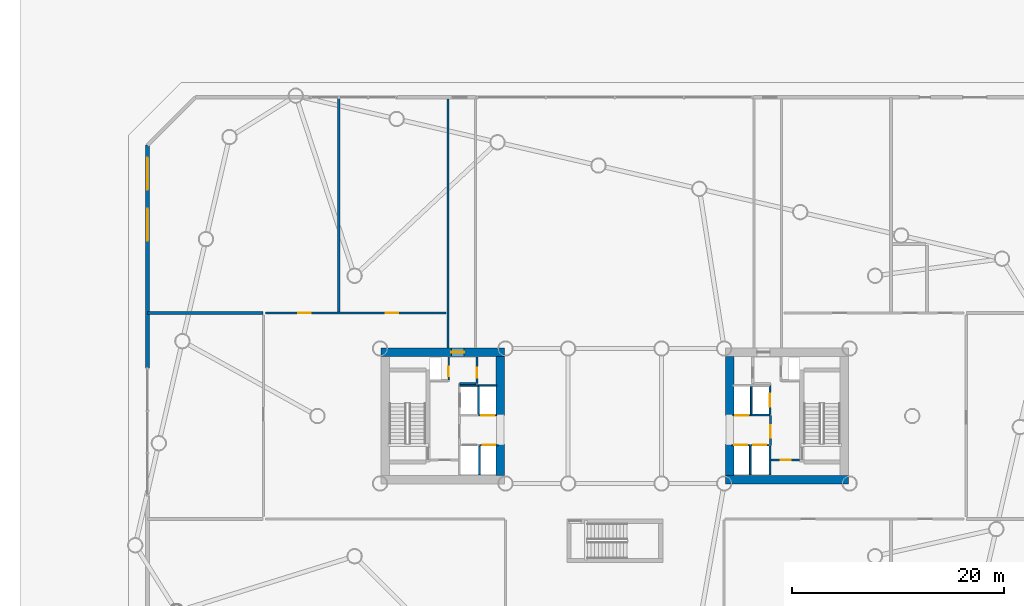
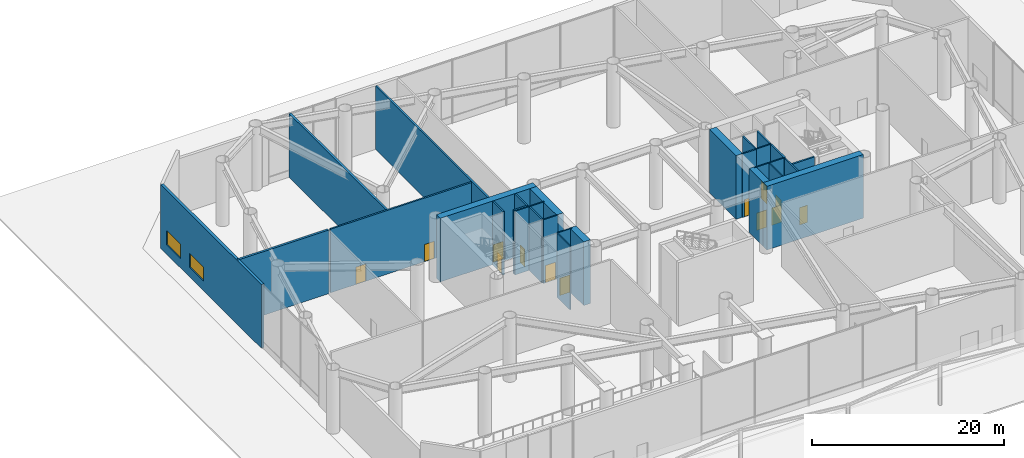
# One storey, part 21 of 28: 30 walls, 13 doors, 2 windows, 15 openings.
"""IFC4 building model written with IfcOpenShell, lengths in metres."""

from ifc_helpers import new_model, si_unit, direction, frame, frame_2d, origin, place, context, subcontext, project, spatial, rectangle, extrude, material, layer, layer_set, type_object, element, fill, save


model = new_model("IFC4")

# Units and contexts
model_context = context("Model", 3, precision=1e-05, world=origin(), true_north=direction((0.0, 1.0)))
body_context = subcontext(model_context, "Body", "Model", "MODEL_VIEW")
ifc_project = project(units=[si_unit("LENGTHUNIT", "METRE"), si_unit("AREAUNIT", "SQUARE_METRE"), si_unit("VOLUMEUNIT", "CUBIC_METRE"), si_unit("PLANEANGLEUNIT", "RADIAN"), si_unit("MASSUNIT", "GRAM", prefix="KILO")], contexts=[model_context])

# Site, building, storey
site_placement = place(None, origin())
site = spatial("IfcSite", under=ifc_project, at=site_placement, CompositionType="ELEMENT")
building_placement = place(site_placement, origin())
building = spatial("IfcBuilding", under=site, at=building_placement, Name="Tavrogorsk Clinical Tower", CompositionType="ELEMENT")
storey_placement = place(building_placement, origin())
storey = spatial("IfcBuildingStorey", under=building, at=storey_placement, Name="L00", CompositionType="ELEMENT", Elevation=0.0)

# Wall, opening, door
ifc_material_1 = material(Name="Concrete B60", Category="concrete")
ifc_layer_1 = layer(ifc_material_1, 0.199951171875)
ifc_layer_set_1 = layer_set([ifc_layer_1], Name="Concrete B60")
wall_type_1 = type_object("IfcWallType", Name="CoreFireWall_200", PredefinedType="SOLIDWALL", material=ifc_layer_set_1)
wall_1_placement = place(storey_placement, frame((-12.97998046875, 3.06494140625, 0.0), z_axis=(0.0, 0.0, 1.0), x_axis=(0.0, 1.0, 0.0)))
wall_1 = element("IfcWall", 1, at=wall_1_placement, inside=storey, type_object=wall_type_1, Name="L00 Core West North Core Room East Wall", PredefinedType="SOLIDWALL", context=body_context, shape_type="SweptSolid", body=[
    extrude(rectangle(XDim=2.4951171875, YDim=0.199951171875, at=frame_2d((1.24755859375, 0.0))), origin(), (0.0, 0.0, 1.0), 8.10009765625),
])
opening_1_placement = place(wall_1_placement, frame((0.52001953125, 0.0, 0.0)))
opening_1 = element("IfcOpeningElement", 2, at=opening_1_placement, cuts=wall_1, Name="Opening ID-02", PredefinedType="OPENING", context=body_context, shape_type="SweptSolid", body=[
    extrude(rectangle(XDim=0.949951171875, YDim=2.199951171875, at=frame_2d((0.47509765625, 1.10009765625))), frame((0.0, 0.10986328125, 0.0), z_axis=(0.0, -1.0, 0.0), x_axis=(1.0, 0.0, 0.0)), (0.0, 0.0, 1.0), 0.219970703125),
])
ifc_material_2 = material(Name="Laminated timber leaf on aluminium frame", Category="wood")
door_type_1 = type_object("IfcDoorType", Name="InteriorDoor_ID02_950", OperationType="NOTDEFINED", PredefinedType="DOOR", material=ifc_material_2)
door_1_placement = place(opening_1_placement, origin())
door_1 = element("IfcDoor", 3, at=door_1_placement, inside=storey, type_object=door_type_1, Name="L00 Core West Core Telemetry Room Door", OperationType="SINGLE_SWING_LEFT", OverallHeight=2.199951171875, OverallWidth=0.949951171875, PredefinedType="DOOR", context=body_context, shape_type="SweptSolid", body=[
    extrude(rectangle(XDim=0.949951171875, YDim=2.199951171875, at=frame_2d((0.47509765625, 1.10009765625))), frame((0.0, 0.02490234375, 0.0), z_axis=(0.0, -1.0, 0.0), x_axis=(1.0, 0.0, 0.0)), (0.0, 0.0, 1.0), 0.050048828125),
])
fill(opening_1, door_1)

# Wall
wall_2_placement = place(storey_placement, frame((-14.639892578125, 3.06005859375, 0.0), z_axis=(0.0, 0.0, 1.0), x_axis=(1.0, 0.0, 0.0)))
element("IfcWall", 4, at=wall_2_placement, inside=storey, type_object=wall_type_1, Name="L00 Core West Protected Exit Neck South Wall", PredefinedType="SOLIDWALL", context=body_context, shape_type="SweptSolid", body=[
    extrude(rectangle(XDim=1.554931640625, YDim=0.199951171875, at=frame_2d((0.77734375, 0.0))), origin(), (0.0, 0.0, 1.0), 8.10009765625),
])

# Wall, opening, door
wall_3_placement = place(storey_placement, frame((14.719970703125, -4.139892578125, 0.0), z_axis=(0.0, 0.0, 1.0), x_axis=(1.0, 0.0, 0.0)))
wall_3 = element("IfcWall", 5, at=wall_3_placement, inside=storey, type_object=wall_type_1, Name="L00 Core East South Core Room Fire Wall", PredefinedType="SOLIDWALL", context=body_context, shape_type="SweptSolid", body=[
    extrude(rectangle(XDim=2.659912109375, YDim=0.199951171875, at=frame_2d((1.330078125, 0.0))), origin(), (0.0, 0.0, 1.0), 8.10009765625),
])
opening_2_placement = place(wall_3_placement, frame((0.8798828125, 0.0, 0.0)))
opening_2 = element("IfcOpeningElement", 6, at=opening_2_placement, cuts=wall_3, Name="Opening ID-02", PredefinedType="OPENING", context=body_context, shape_type="SweptSolid", body=[
    extrude(rectangle(XDim=0.949951171875, YDim=2.199951171875, at=frame_2d((0.47509765625, 1.10009765625))), frame((0.0, 0.10986328125, 0.0), z_axis=(0.0, -1.0, 0.0), x_axis=(1.0, 0.0, 0.0)), (0.0, 0.0, 1.0), 0.219970703125),
])
door_2_placement = place(opening_2_placement, origin())
door_2 = element("IfcDoor", 7, at=door_2_placement, inside=storey, type_object=door_type_1, Name="L00 Core East South Core Room Door", OperationType="SINGLE_SWING_RIGHT", OverallHeight=2.199951171875, OverallWidth=0.949951171875, PredefinedType="DOOR", context=body_context, shape_type="SweptSolid", body=[
    extrude(rectangle(XDim=0.949951171875, YDim=2.199951171875, at=frame_2d((0.47509765625, 1.10009765625))), frame((0.0, 0.02490234375, 0.0), z_axis=(0.0, -1.0, 0.0), x_axis=(1.0, 0.0, 0.0)), (0.0, 0.0, 1.0), 0.050048828125),
])
fill(opening_2, door_2)

wall_4_placement = place(storey_placement, frame((14.639892578125, -2.780029296875, 0.0), z_axis=(0.0, 0.0, 1.0), x_axis=(0.0, 1.0, 0.0)))
wall_4 = element("IfcWall", 8, at=wall_4_placement, inside=storey, type_object=wall_type_1, Name="L00 Core East Firefighting Lobby Fire Wall", PredefinedType="SOLIDWALL", context=body_context, shape_type="SweptSolid", body=[
    extrude(rectangle(XDim=2.820068359375, YDim=0.199951171875, at=frame_2d((1.41015625, 0.0))), origin(), (0.0, 0.0, 1.0), 8.10009765625),
])
opening_3_placement = place(wall_4_placement, frame((0.72998046875, 0.0, 0.0)))
opening_3 = element("IfcOpeningElement", 9, at=opening_3_placement, cuts=wall_4, Name="Opening FD-01", PredefinedType="OPENING", context=body_context, shape_type="SweptSolid", body=[
    extrude(rectangle(XDim=1.199951171875, YDim=2.199951171875, at=frame_2d((0.60009765625, 1.10009765625))), frame((0.0, 0.10986328125, 0.0), z_axis=(0.0, -1.0, 0.0), x_axis=(1.0, 0.0, 0.0)), (0.0, 0.0, 1.0), 0.219970703125),
])
ifc_material_3 = material(Name="Galvanised steel fire-rated door assembly", Category="steel")
door_type_2 = type_object("IfcDoorType", Name="FireDoor_FD01_1200", OperationType="NOTDEFINED", PredefinedType="DOOR", material=ifc_material_3)
door_3_placement = place(opening_3_placement, origin())
door_3 = element("IfcDoor", 10, at=door_3_placement, inside=storey, type_object=door_type_2, Name="L00 Core East Firefighting Lobby Entry Door", OperationType="SINGLE_SWING_RIGHT", OverallHeight=2.199951171875, OverallWidth=1.199951171875, PredefinedType="DOOR", context=body_context, shape_type="SweptSolid", body=[
    extrude(rectangle(XDim=1.199951171875, YDim=2.199951171875, at=frame_2d((0.60009765625, 1.10009765625))), frame((0.0, 0.02490234375, 0.0), z_axis=(0.0, -1.0, 0.0), x_axis=(1.0, 0.0, 0.0)), (0.0, 0.0, 1.0), 0.050048828125),
])
fill(opening_3, door_3)

# Wall
wall_5_placement = place(storey_placement, frame((-15.699951171875, 6.409912109375, 0.0), z_axis=(0.0, 0.0, 1.0), x_axis=(0.0, 1.0, 0.0)))
element("IfcWall", 11, at=wall_5_placement, inside=storey, type_object=wall_type_1, Name="L00 West Exit Passageway West Fire Wall", PredefinedType="SOLIDWALL", context=body_context, shape_type="SweptSolid", body=[
    extrude(rectangle(XDim=23.41015625, YDim=0.199951171875, at=frame_2d((11.705078125, 0.0))), origin(), (0.0, 0.0, 1.0), 8.10009765625),
])

# Wall, openings, doors
wall_6_placement = place(storey_placement, frame((-32.89501953125, 9.699951171875, 0.0), z_axis=(0.0, 0.0, 1.0), x_axis=(1.0, 0.0, 0.0)))
wall_6 = element("IfcWall", 12, at=wall_6_placement, inside=storey, type_object=wall_type_1, Name="L00 Concourse Fire Wall 04", PredefinedType="SOLIDWALL", context=body_context, shape_type="SweptSolid", body=[
    extrude(rectangle(XDim=16.989990234375, YDim=0.199951171875, at=frame_2d((8.4951171875, 0.0))), origin(), (0.0, 0.0, 1.0), 8.10009765625),
])
opening_4_placement = place(wall_6_placement, frame((3.08056640625, 0.0, 0.0)))
opening_4 = element("IfcOpeningElement", 13, at=opening_4_placement, cuts=wall_6, Name="Opening FD-01", PredefinedType="OPENING", context=body_context, shape_type="SweptSolid", body=[
    extrude(rectangle(XDim=1.199951171875, YDim=2.199951171875, at=frame_2d((0.60009765625, 1.10009765625))), frame((0.0, 0.10986328125, 0.0), z_axis=(0.0, -1.0, 0.0), x_axis=(1.0, 0.0, 0.0)), (0.0, 0.0, 1.0), 0.219970703125),
])
opening_5_placement = place(wall_6_placement, frame((11.3193359375, 0.0, 0.0)))
opening_5 = element("IfcOpeningElement", 14, at=opening_5_placement, cuts=wall_6, Name="Opening FD-01", PredefinedType="OPENING", context=body_context, shape_type="SweptSolid", body=[
    extrude(rectangle(XDim=1.199951171875, YDim=2.199951171875, at=frame_2d((0.60009765625, 1.10009765625))), frame((0.0, 0.10986328125, 0.0), z_axis=(0.0, -1.0, 0.0), x_axis=(1.0, 0.0, 0.0)), (0.0, 0.0, 1.0), 0.219970703125),
])
door_4_placement = place(opening_4_placement, origin())
door_4 = element("IfcDoor", 15, at=door_4_placement, inside=storey, type_object=door_type_2, Name="L00 Trauma Resuscitation Suite West Entry Door", OperationType="SINGLE_SWING_RIGHT", OverallHeight=2.199951171875, OverallWidth=1.199951171875, PredefinedType="DOOR", context=body_context, shape_type="SweptSolid", body=[
    extrude(rectangle(XDim=1.199951171875, YDim=2.199951171875, at=frame_2d((0.60009765625, 1.10009765625))), frame((0.0, 0.02490234375, 0.0), z_axis=(0.0, -1.0, 0.0), x_axis=(1.0, 0.0, 0.0)), (0.0, 0.0, 1.0), 0.050048828125),
])
fill(opening_4, door_4)
door_5_placement = place(opening_5_placement, origin())
door_5 = element("IfcDoor", 16, at=door_5_placement, inside=storey, type_object=door_type_2, Name="L00 Emergency CT & Acute Radiology Entry Door", OperationType="SINGLE_SWING_LEFT", OverallHeight=2.199951171875, OverallWidth=1.199951171875, PredefinedType="DOOR", context=body_context, shape_type="SweptSolid", body=[
    extrude(rectangle(XDim=1.199951171875, YDim=2.199951171875, at=frame_2d((0.60009765625, 1.10009765625))), frame((0.0, 0.02490234375, 0.0), z_axis=(0.0, -1.0, 0.0), x_axis=(1.0, 0.0, 0.0)), (0.0, 0.0, 1.0), 0.050048828125),
])
fill(opening_5, door_5)

# Wall, openings, windows
ifc_material_4 = material(Name="Precast concrete B45 with limestone cladding", Category="masonry")
ifc_layer_2 = layer(ifc_material_4, 0.340087890625)
ifc_layer_set_2 = layer_set([ifc_layer_2], Name="Precast concrete B45 with limestone cladding")
wall_type_2 = type_object("IfcWallType", Name="PrecastLimestoneWall_340", PredefinedType="STANDARD", material=ifc_layer_set_2)
wall_7_placement = place(storey_placement, frame((-44.0, 25.5, 0.0), z_axis=(0.0, 0.0, 1.0), x_axis=(0.0, -1.0, 0.0)))
wall_7 = element("IfcWall", 17, at=wall_7_placement, inside=storey, type_object=wall_type_2, Name="L00 Limestone Lobby Wall 7-1", PredefinedType="STANDARD", context=body_context, shape_type="SweptSolid", body=[
    extrude(rectangle(XDim=21.0, YDim=0.340087890625, at=frame_2d((10.5, 0.0))), origin(), (0.0, 0.0, 1.0), 8.10009765625),
])
opening_6_placement = place(wall_7_placement, frame((1.199951171875, 0.0, 1.199951171875)))
opening_6 = element("IfcOpeningElement", 18, at=opening_6_placement, cuts=wall_7, Name="Opening WN-08", PredefinedType="OPENING", context=body_context, shape_type="SweptSolid", body=[
    extrude(rectangle(XDim=3.0, YDim=1.800048828125, at=frame_2d((1.5, 0.89990234375))), frame((0.0, 0.179931640625, 0.0), z_axis=(0.0, -1.0, 0.0), x_axis=(1.0, 0.0, 0.0)), (0.0, 0.0, 1.0), 0.360107421875),
])
opening_7_placement = place(wall_7_placement, frame((6.0, 0.0, 1.199951171875)))
opening_7 = element("IfcOpeningElement", 19, at=opening_7_placement, cuts=wall_7, Name="Opening WN-08", PredefinedType="OPENING", context=body_context, shape_type="SweptSolid", body=[
    extrude(rectangle(XDim=3.0, YDim=1.800048828125, at=frame_2d((1.5, 0.89990234375))), frame((0.0, 0.179931640625, 0.0), z_axis=(0.0, -1.0, 0.0), x_axis=(1.0, 0.0, 0.0)), (0.0, 0.0, 1.0), 0.360107421875),
])
ifc_material_5 = material(Name="Thermally broken aluminium frame and triple IGU", Category="aluminium")
window_type = type_object("IfcWindowType", Name="PodiumClerestory_3000x1800", PartitioningType="TRIPLE_PANEL_HORIZONTAL", PredefinedType="WINDOW", material=ifc_material_5)
window_1_placement = place(opening_6_placement, origin())
window_1 = element("IfcWindow", 20, at=window_1_placement, inside=storey, type_object=window_type, Name="L00 Clerestory Window 7-1-1", OverallHeight=1.800048828125, OverallWidth=3.0, PartitioningType="SINGLE_PANEL", PredefinedType="WINDOW", context=body_context, shape_type="SweptSolid", body=[
    extrude(rectangle(XDim=3.0, YDim=1.800048828125, at=frame_2d((1.5, 0.89990234375))), frame((0.0, 0.030029296875, 0.0), z_axis=(0.0, -1.0, 0.0), x_axis=(1.0, 0.0, 0.0)), (0.0, 0.0, 1.0), 0.06005859375),
])
fill(opening_6, window_1)
window_2_placement = place(opening_7_placement, origin())
window_2 = element("IfcWindow", 21, at=window_2_placement, inside=storey, type_object=window_type, Name="L00 Clerestory Window 7-1-2", OverallHeight=1.800048828125, OverallWidth=3.0, PartitioningType="SINGLE_PANEL", PredefinedType="WINDOW", context=body_context, shape_type="SweptSolid", body=[
    extrude(rectangle(XDim=3.0, YDim=1.800048828125, at=frame_2d((1.5, 0.89990234375))), frame((0.0, 0.030029296875, 0.0), z_axis=(0.0, -1.0, 0.0), x_axis=(1.0, 0.0, 0.0)), (0.0, 0.0, 1.0), 0.06005859375),
])
fill(opening_7, window_2)

# Walls
ifc_material_6 = material(Name="Concrete B60 radiation-shielded wall", Category="concrete")
ifc_layer_3 = layer(ifc_material_6, 0.260009765625)
ifc_layer_set_3 = layer_set([ifc_layer_3], Name="Concrete B60 radiation-shielded wall")
wall_type_3 = type_object("IfcWallType", Name="RadiationLeadWall_260", PredefinedType="SOLIDWALL", material=ifc_layer_set_3)
wall_8_placement = place(storey_placement, frame((-44.0, 9.699951171875, 0.0), z_axis=(0.0, 0.0, 1.0), x_axis=(1.0, 0.0, 0.0)))
element("IfcWall", 22, at=wall_8_placement, inside=storey, type_object=wall_type_3, Name="L00 Ground Partition Wall 3", PredefinedType="SOLIDWALL", context=body_context, shape_type="SweptSolid", body=[
    extrude(rectangle(XDim=10.89501953125, YDim=0.260009765625, at=frame_2d((5.447509765625, 0.0))), origin(), (0.0, 0.0, 1.0), 8.10009765625),
])
wall_9_placement = place(storey_placement, frame((-26.0, 9.804931640625, 0.0), z_axis=(0.0, 0.0, 1.0), x_axis=(0.0, 1.0, 0.0)))
element("IfcWall", 23, at=wall_9_placement, inside=storey, type_object=wall_type_3, Name="L00 Ground Partition Wall 7", PredefinedType="SOLIDWALL", context=body_context, shape_type="SweptSolid", body=[
    extrude(rectangle(XDim=20.195068359375, YDim=0.260009765625, at=frame_2d((10.09765625, 0.0))), origin(), (0.0, 0.0, 1.0), 8.10009765625),
])
ifc_material_7 = material(Name="Lightweight concrete blockwork B25", Category="masonry")
ifc_layer_4 = layer(ifc_material_7, 0.159912109375)
ifc_layer_set_4 = layer_set([ifc_layer_4], Name="Lightweight concrete blockwork B25")
wall_type_4 = type_object("IfcWallType", Name="ShaftWall_160", PredefinedType="PARTITIONING", material=ifc_layer_set_4)
wall_10_placement = place(storey_placement, frame((-14.60009765625, 2.8798828125, 0.0), z_axis=(0.0, 0.0, 1.0), x_axis=(1.0, 0.0, 0.0)))
element("IfcWall", 24, at=wall_10_placement, inside=storey, type_object=wall_type_4, Name="L00 FFL-W Shaft North Wall", PredefinedType="PARTITIONING", context=body_context, shape_type="SweptSolid", body=[
    extrude(rectangle(XDim=1.760009765625, YDim=0.159912109375, at=frame_2d((0.8798828125, 0.0))), origin(), (0.0, 0.0, 1.0), 8.10009765625),
])
wall_11_placement = place(storey_placement, frame((-12.840087890625, 0.179931640625, 0.0), z_axis=(0.0, 0.0, 1.0), x_axis=(0.0, 1.0, 0.0)))
element("IfcWall", 25, at=wall_11_placement, inside=storey, type_object=wall_type_4, Name="L00 FFL-W Shaft Back Wall", PredefinedType="PARTITIONING", context=body_context, shape_type="SweptSolid", body=[
    extrude(rectangle(XDim=2.6201171875, YDim=0.159912109375, at=frame_2d((1.31005859375, 0.0))), origin(), (0.0, 0.0, 1.0), 8.10009765625),
])
wall_12_placement = place(storey_placement, frame((-12.75, -5.5400390625, 0.0), z_axis=(0.0, 0.0, 1.0), x_axis=(0.0, 1.0, 0.0)))
element("IfcWall", 26, at=wall_12_placement, inside=storey, type_object=wall_type_4, Name="L00 LP-L1 Lift Hoistway Divider Wall", PredefinedType="PARTITIONING", context=body_context, shape_type="SweptSolid", body=[
    extrude(rectangle(XDim=2.699951171875, YDim=0.159912109375, at=frame_2d((1.35009765625, 0.0))), origin(), (0.0, 0.0, 1.0), 8.10009765625),
])

# Wall, opening, door
wall_13_placement = place(storey_placement, frame((-12.72998046875, -2.75, 0.0), z_axis=(0.0, 0.0, 1.0), x_axis=(1.0, 0.0, 0.0)))
wall_13 = element("IfcWall", 27, at=wall_13_placement, inside=storey, type_object=wall_type_4, Name="L00 LP-M1 Lift Shaft Portal Wall", PredefinedType="PARTITIONING", context=body_context, shape_type="SweptSolid", body=[
    extrude(rectangle(XDim=1.760009765625, YDim=0.159912109375, at=frame_2d((0.8798828125, 0.0))), origin(), (0.0, 0.0, 1.0), 8.10009765625),
])
opening_8_placement = place(wall_13_placement, frame((0.280029296875, 0.0, 0.0)))
opening_8 = element("IfcOpeningElement", 28, at=opening_8_placement, cuts=wall_13, Name="Opening LD", PredefinedType="OPENING", context=body_context, shape_type="SweptSolid", body=[
    extrude(rectangle(XDim=1.199951171875, YDim=2.199951171875, at=frame_2d((0.60009765625, 1.10009765625))), frame((0.0, 0.08984375, 0.0), z_axis=(0.0, -1.0, 0.0), x_axis=(1.0, 0.0, 0.0)), (0.0, 0.0, 1.0), 0.179931640625),
])
ifc_material_8 = material(Name="Brushed stainless steel AISI 304 sliding doors", Category="steel")
door_type_3 = type_object("IfcDoorType", Name="LiftLandingDoor_LD_1200", OperationType="SLIDING_TO_LEFT", PredefinedType="DOOR", material=ifc_material_8)
door_6_placement = place(opening_8_placement, origin())
door_6 = element("IfcDoor", 29, at=door_6_placement, inside=storey, type_object=door_type_3, Name="L00 LP-M1 Sliding Lift Landing Door", OperationType="SLIDING_TO_LEFT", OverallHeight=2.199951171875, OverallWidth=1.199951171875, PredefinedType="DOOR", context=body_context, shape_type="SweptSolid", body=[
    extrude(rectangle(XDim=1.199951171875, YDim=2.199951171875, at=frame_2d((0.60009765625, 1.10009765625))), frame((0.0, 0.02490234375, 0.0), z_axis=(0.0, -1.0, 0.0), x_axis=(1.0, 0.0, 0.0)), (0.0, 0.0, 1.0), 0.050048828125),
])
fill(opening_8, door_6)

wall_14_placement = place(storey_placement, frame((-12.820068359375, 0.06005859375, 0.0), z_axis=(0.0, 0.0, 1.0), x_axis=(1.0, 0.0, 0.0)))
wall_14 = element("IfcWall", 30, at=wall_14_placement, inside=storey, type_object=wall_type_4, Name="L00 LP-H1 High-Zone Lift Portal Wall", PredefinedType="PARTITIONING", context=body_context, shape_type="SweptSolid", body=[
    extrude(rectangle(XDim=1.719970703125, YDim=0.159912109375, at=frame_2d((0.85986328125, 0.0))), origin(), (0.0, 0.0, 1.0), 8.10009765625),
])
opening_9_placement = place(wall_14_placement, frame((0.260009765625, 0.0, 0.0)))
opening_9 = element("IfcOpeningElement", 31, at=opening_9_placement, cuts=wall_14, Name="Opening LD", PredefinedType="OPENING", context=body_context, shape_type="SweptSolid", body=[
    extrude(rectangle(XDim=1.199951171875, YDim=2.199951171875, at=frame_2d((0.60009765625, 1.10009765625))), frame((0.0, 0.08984375, 0.0), z_axis=(0.0, -1.0, 0.0), x_axis=(1.0, 0.0, 0.0)), (0.0, 0.0, 1.0), 0.179931640625),
])
door_7_placement = place(opening_9_placement, origin())
door_7 = element("IfcDoor", 32, at=door_7_placement, inside=storey, type_object=door_type_3, Name="L00 LP-H1 Sliding Lift Landing Door", OperationType="SLIDING_TO_LEFT", OverallHeight=2.199951171875, OverallWidth=1.199951171875, PredefinedType="DOOR", context=body_context, shape_type="SweptSolid", body=[
    extrude(rectangle(XDim=1.199951171875, YDim=2.199951171875, at=frame_2d((0.60009765625, 1.10009765625))), frame((0.0, 0.02490234375, 0.0), z_axis=(0.0, -1.0, 0.0), x_axis=(1.0, 0.0, 0.0)), (0.0, 0.0, 1.0), 0.050048828125),
])
fill(opening_9, door_7)

# Wall
wall_15_placement = place(storey_placement, frame((-12.820068359375, 2.860107421875, 0.0), z_axis=(0.0, 0.0, 1.0), x_axis=(1.0, 0.0, 0.0)))
element("IfcWall", 33, at=wall_15_placement, inside=storey, type_object=wall_type_4, Name="L00 LP-H1 High-Zone Lift Rear Wall", PredefinedType="PARTITIONING", context=body_context, shape_type="SweptSolid", body=[
    extrude(rectangle(XDim=1.719970703125, YDim=0.159912109375, at=frame_2d((0.85986328125, 0.0))), origin(), (0.0, 0.0, 1.0), 8.10009765625),
])

# Wall, opening, door
wall_16_placement = place(storey_placement, frame((14.60009765625, 0.1201171875, 0.0), z_axis=(0.0, 0.0, 1.0), x_axis=(0.0, 1.0, 0.0)))
wall_16 = element("IfcWall", 34, at=wall_16_placement, inside=storey, type_object=wall_type_4, Name="L00 FFL-E Firefighting Lift Front Wall", PredefinedType="PARTITIONING", context=body_context, shape_type="SweptSolid", body=[
    extrude(rectangle(XDim=2.739990234375, YDim=0.159912109375, at=frame_2d((1.3701171875, 0.0))), origin(), (0.0, 0.0, 1.0), 8.10009765625),
])
opening_10_placement = place(wall_16_placement, frame((0.77001953125, 0.0, 0.0)))
opening_10 = element("IfcOpeningElement", 35, at=opening_10_placement, cuts=wall_16, Name="Opening LD", PredefinedType="OPENING", context=body_context, shape_type="SweptSolid", body=[
    extrude(rectangle(XDim=1.199951171875, YDim=2.199951171875, at=frame_2d((0.60009765625, 1.10009765625))), frame((0.0, 0.08984375, 0.0), z_axis=(0.0, -1.0, 0.0), x_axis=(1.0, 0.0, 0.0)), (0.0, 0.0, 1.0), 0.179931640625),
])
door_8_placement = place(opening_10_placement, origin())
door_8 = element("IfcDoor", 36, at=door_8_placement, inside=storey, type_object=door_type_3, Name="L00 FFL-E Sliding Lift Landing Door", OperationType="SLIDING_TO_LEFT", OverallHeight=2.199951171875, OverallWidth=1.199951171875, PredefinedType="DOOR", context=body_context, shape_type="SweptSolid", body=[
    extrude(rectangle(XDim=1.199951171875, YDim=2.199951171875, at=frame_2d((0.60009765625, 1.10009765625))), frame((0.0, 0.02490234375, 0.0), z_axis=(0.0, -1.0, 0.0), x_axis=(1.0, 0.0, 0.0)), (0.0, 0.0, 1.0), 0.050048828125),
])
fill(opening_10, door_8)

# Walls
wall_17_placement = place(storey_placement, frame((12.840087890625, 0.10009765625, 0.0), z_axis=(0.0, 0.0, 1.0), x_axis=(1.0, 0.0, 0.0)))
element("IfcWall", 37, at=wall_17_placement, inside=storey, type_object=wall_type_4, Name="L00 FFL-E Shaft South Wall", PredefinedType="PARTITIONING", context=body_context, shape_type="SweptSolid", body=[
    extrude(rectangle(XDim=1.760009765625, YDim=0.159912109375, at=frame_2d((0.8798828125, 0.0))), origin(), (0.0, 0.0, 1.0), 8.10009765625),
])
wall_18_placement = place(storey_placement, frame((12.840087890625, 0.179931640625, 0.0), z_axis=(0.0, 0.0, 1.0), x_axis=(0.0, 1.0, 0.0)))
element("IfcWall", 38, at=wall_18_placement, inside=storey, type_object=wall_type_4, Name="L00 FFL-E Shaft Back Wall", PredefinedType="PARTITIONING", context=body_context, shape_type="SweptSolid", body=[
    extrude(rectangle(XDim=2.6201171875, YDim=0.159912109375, at=frame_2d((1.31005859375, 0.0))), origin(), (0.0, 0.0, 1.0), 8.10009765625),
])

# Wall, opening, door
wall_19_placement = place(storey_placement, frame((12.77001953125, -2.75, 0.0), z_axis=(0.0, 0.0, 1.0), x_axis=(1.0, 0.0, 0.0)))
wall_19 = element("IfcWall", 39, at=wall_19_placement, inside=storey, type_object=wall_type_4, Name="L00 LP-L2 Lift Shaft Portal Wall", PredefinedType="PARTITIONING", context=body_context, shape_type="SweptSolid", body=[
    extrude(rectangle(XDim=1.760009765625, YDim=0.159912109375, at=frame_2d((0.8798828125, 0.0))), origin(), (0.0, 0.0, 1.0), 8.10009765625),
])
opening_11_placement = place(wall_19_placement, frame((0.280029296875, 0.0, 0.0)))
opening_11 = element("IfcOpeningElement", 40, at=opening_11_placement, cuts=wall_19, Name="Opening LD", PredefinedType="OPENING", context=body_context, shape_type="SweptSolid", body=[
    extrude(rectangle(XDim=1.199951171875, YDim=2.199951171875, at=frame_2d((0.60009765625, 1.10009765625))), frame((0.0, 0.08984375, 0.0), z_axis=(0.0, -1.0, 0.0), x_axis=(1.0, 0.0, 0.0)), (0.0, 0.0, 1.0), 0.179931640625),
])
door_9_placement = place(opening_11_placement, origin())
door_9 = element("IfcDoor", 41, at=door_9_placement, inside=storey, type_object=door_type_3, Name="L00 LP-L2 Sliding Lift Landing Door", OperationType="SLIDING_TO_LEFT", OverallHeight=2.199951171875, OverallWidth=1.199951171875, PredefinedType="DOOR", context=body_context, shape_type="SweptSolid", body=[
    extrude(rectangle(XDim=1.199951171875, YDim=2.199951171875, at=frame_2d((0.60009765625, 1.10009765625))), frame((0.0, 0.02490234375, 0.0), z_axis=(0.0, -1.0, 0.0), x_axis=(1.0, 0.0, 0.0)), (0.0, 0.0, 1.0), 0.050048828125),
])
fill(opening_11, door_9)

# Walls
for number, where, z_axis, x_axis, name in (
    (42, (12.75, -5.5400390625, 0.0), (0.0, 0.0, 1.0), (0.0, 1.0, 0.0), "L00 LP-L2 Lift Hoistway Divider Wall"),
    (43, (14.610107421875, -5.5400390625, 0.0), (0.0, 0.0, 1.0), (0.0, 1.0, 0.0), "L00 LP-L2 Lift Hoistway Outer Cheek Wall"),
):
    element("IfcWall", number, at=place(storey_placement, frame(where, z_axis=z_axis, x_axis=x_axis)), inside=storey, type_object=wall_type_4, Name=name, PredefinedType="PARTITIONING", context=body_context, shape_type="SweptSolid", body=[
        extrude(rectangle(XDim=2.699951171875, YDim=0.159912109375, at=frame_2d((1.35009765625, 0.0))), origin(), (0.0, 0.0, 1.0), 8.10009765625),
    ])

# Wall, opening, door
wall_20_placement = place(storey_placement, frame((10.969970703125, -2.75, 0.0), z_axis=(0.0, 0.0, 1.0), x_axis=(1.0, 0.0, 0.0)))
wall_20 = element("IfcWall", 44, at=wall_20_placement, inside=storey, type_object=wall_type_4, Name="L00 LP-M2 Lift Shaft Portal Wall", PredefinedType="PARTITIONING", context=body_context, shape_type="SweptSolid", body=[
    extrude(rectangle(XDim=1.760009765625, YDim=0.159912109375, at=frame_2d((0.8798828125, 0.0))), origin(), (0.0, 0.0, 1.0), 8.10009765625),
])
opening_12_placement = place(wall_20_placement, frame((0.280029296875, 0.0, 0.0)))
opening_12 = element("IfcOpeningElement", 45, at=opening_12_placement, cuts=wall_20, Name="Opening LD", PredefinedType="OPENING", context=body_context, shape_type="SweptSolid", body=[
    extrude(rectangle(XDim=1.199951171875, YDim=2.199951171875, at=frame_2d((0.60009765625, 1.10009765625))), frame((0.0, 0.08984375, 0.0), z_axis=(0.0, -1.0, 0.0), x_axis=(1.0, 0.0, 0.0)), (0.0, 0.0, 1.0), 0.179931640625),
])
door_10_placement = place(opening_12_placement, origin())
door_10 = element("IfcDoor", 46, at=door_10_placement, inside=storey, type_object=door_type_3, Name="L00 LP-M2 Sliding Lift Landing Door", OperationType="SLIDING_TO_LEFT", OverallHeight=2.199951171875, OverallWidth=1.199951171875, PredefinedType="DOOR", context=body_context, shape_type="SweptSolid", body=[
    extrude(rectangle(XDim=1.199951171875, YDim=2.199951171875, at=frame_2d((0.60009765625, 1.10009765625))), frame((0.0, 0.02490234375, 0.0), z_axis=(0.0, -1.0, 0.0), x_axis=(1.0, 0.0, 0.0)), (0.0, 0.0, 1.0), 0.050048828125),
])
fill(opening_12, door_10)

wall_21_placement = place(storey_placement, frame((11.10009765625, 0.06005859375, 0.0), z_axis=(0.0, 0.0, 1.0), x_axis=(1.0, 0.0, 0.0)))
wall_21 = element("IfcWall", 47, at=wall_21_placement, inside=storey, type_object=wall_type_4, Name="L00 LP-H2 High-Zone Lift Portal Wall", PredefinedType="PARTITIONING", context=body_context, shape_type="SweptSolid", body=[
    extrude(rectangle(XDim=1.719970703125, YDim=0.159912109375, at=frame_2d((0.85986328125, 0.0))), origin(), (0.0, 0.0, 1.0), 8.10009765625),
])
opening_13_placement = place(wall_21_placement, frame((0.260009765625, 0.0, 0.0)))
opening_13 = element("IfcOpeningElement", 48, at=opening_13_placement, cuts=wall_21, Name="Opening LD", PredefinedType="OPENING", context=body_context, shape_type="SweptSolid", body=[
    extrude(rectangle(XDim=1.199951171875, YDim=2.199951171875, at=frame_2d((0.60009765625, 1.10009765625))), frame((0.0, 0.08984375, 0.0), z_axis=(0.0, -1.0, 0.0), x_axis=(1.0, 0.0, 0.0)), (0.0, 0.0, 1.0), 0.179931640625),
])
door_11_placement = place(opening_13_placement, origin())
door_11 = element("IfcDoor", 49, at=door_11_placement, inside=storey, type_object=door_type_3, Name="L00 LP-H2 Sliding Lift Landing Door", OperationType="SLIDING_TO_LEFT", OverallHeight=2.199951171875, OverallWidth=1.199951171875, PredefinedType="DOOR", context=body_context, shape_type="SweptSolid", body=[
    extrude(rectangle(XDim=1.199951171875, YDim=2.199951171875, at=frame_2d((0.60009765625, 1.10009765625))), frame((0.0, 0.02490234375, 0.0), z_axis=(0.0, -1.0, 0.0), x_axis=(1.0, 0.0, 0.0)), (0.0, 0.0, 1.0), 0.050048828125),
])
fill(opening_13, door_11)

wall_22_placement = place(storey_placement, frame((-15.639892578125, 3.405029296875, 0.0), z_axis=(0.0, 0.0, 1.0), x_axis=(0.0, 1.0, 0.0)))
wall_22 = element("IfcWall", 50, at=wall_22_placement, inside=storey, type_object=wall_type_4, Name="L00 Core West Riser West Wall", PredefinedType="PARTITIONING", context=body_context, shape_type="SweptSolid", body=[
    extrude(rectangle(XDim=2.155029296875, YDim=0.159912109375, at=frame_2d((1.07763671875, 0.0))), origin(), (0.0, 0.0, 1.0), 8.10009765625),
])
opening_14_placement = place(wall_22_placement, frame((0.35009765625, 0.0, 0.0)))
opening_14 = element("IfcOpeningElement", 51, at=opening_14_placement, cuts=wall_22, Name="Opening FD-02", PredefinedType="OPENING", context=body_context, shape_type="SweptSolid", body=[
    extrude(rectangle(XDim=0.89990234375, YDim=2.199951171875, at=frame_2d((0.449951171875, 1.10009765625))), frame((0.0, 0.08984375, 0.0), z_axis=(0.0, -1.0, 0.0), x_axis=(1.0, 0.0, 0.0)), (0.0, 0.0, 1.0), 0.179931640625),
])
ifc_material_9 = material(Name="Galvanised steel fire-rated door assembly", Category="steel")
door_type_4 = type_object("IfcDoorType", Name="FireDoor_FD02_900", OperationType="NOTDEFINED", PredefinedType="DOOR", material=ifc_material_9)
door_12_placement = place(opening_14_placement, origin())
door_12 = element("IfcDoor", 52, at=door_12_placement, inside=storey, type_object=door_type_4, Name="L00 Core West Electrical Riser Access Door", OperationType="SINGLE_SWING_LEFT", OverallHeight=2.199951171875, OverallWidth=0.89990234375, PredefinedType="DOOR", context=body_context, shape_type="SweptSolid", body=[
    extrude(rectangle(XDim=0.89990234375, YDim=2.199951171875, at=frame_2d((0.449951171875, 1.10009765625))), frame((0.0, 0.02490234375, 0.0), z_axis=(0.0, -1.0, 0.0), x_axis=(1.0, 0.0, 0.0)), (0.0, 0.0, 1.0), 0.050048828125),
])
fill(opening_14, door_12)

ifc_material_10 = material(Name="Concrete B80", Category="concrete")
ifc_layer_5 = layer(ifc_material_10, 0.800048828125)
ifc_layer_set_5 = layer_set([ifc_layer_5], Name="Concrete B80")
wall_type_5 = type_object("IfcWallType", Name="ShearWall_800", PredefinedType="SHEAR", material=ifc_layer_set_5)
wall_23_placement = place(storey_placement, frame((-22.0, 6.0, 0.0), z_axis=(0.0, 0.0, 1.0), x_axis=(1.0, 0.0, 0.0)))
wall_23 = element("IfcWall", 53, at=wall_23_placement, inside=storey, type_object=wall_type_5, Name="L00 Core West North Shear Wall", PredefinedType="SHEAR", context=body_context, shape_type="SweptSolid", body=[
    extrude(rectangle(XDim=11.60009765625, YDim=0.800048828125, at=frame_2d((5.800048828125, 0.0))), origin(), (0.0, 0.0, 1.0), 8.10009765625),
])
opening_15_placement = place(wall_23_placement, frame((6.60009765625, 0.0, 0.0)))
opening_15 = element("IfcOpeningElement", 54, at=opening_15_placement, cuts=wall_23, Name="Opening FD-01", PredefinedType="OPENING", context=body_context, shape_type="SweptSolid", body=[
    extrude(rectangle(XDim=1.199951171875, YDim=2.199951171875, at=frame_2d((0.60009765625, 1.10009765625))), frame((0.0, 0.409912109375, 0.0), z_axis=(0.0, -1.0, 0.0), x_axis=(1.0, 0.0, 0.0)), (0.0, 0.0, 1.0), 0.820068359375),
])
door_13_placement = place(opening_15_placement, origin())
door_13 = element("IfcDoor", 55, at=door_13_placement, inside=storey, type_object=door_type_2, Name="L00 Core West Protected Exit Passageway Door", OperationType="SINGLE_SWING_LEFT", OverallHeight=2.199951171875, OverallWidth=1.199951171875, PredefinedType="DOOR", context=body_context, shape_type="SweptSolid", body=[
    extrude(rectangle(XDim=1.199951171875, YDim=2.199951171875, at=frame_2d((0.60009765625, 1.10009765625))), frame((0.0, 0.02490234375, 0.0), z_axis=(0.0, -1.0, 0.0), x_axis=(1.0, 0.0, 0.0)), (0.0, 0.0, 1.0), 0.050048828125),
])
fill(opening_15, door_13)

# Walls
wall_24_placement = place(storey_placement, frame((-10.800048828125, -5.60009765625, 0.0), z_axis=(0.0, 0.0, 1.0), x_axis=(0.0, 1.0, 0.0)))
element("IfcWall", 56, at=wall_24_placement, inside=storey, type_object=wall_type_5, Name="L00 Core West Inner South Pier", PredefinedType="SHEAR", context=body_context, shape_type="SweptSolid", body=[
    extrude(rectangle(XDim=2.9501953125, YDim=0.800048828125, at=frame_2d((1.47509765625, 0.0))), origin(), (0.0, 0.0, 1.0), 8.10009765625),
])
wall_25_placement = place(storey_placement, frame((-10.800048828125, 0.050048828125, 0.0), z_axis=(0.0, 0.0, 1.0), x_axis=(0.0, 1.0, 0.0)))
element("IfcWall", 57, at=wall_25_placement, inside=storey, type_object=wall_type_5, Name="L00 Core West Inner North Pier", PredefinedType="SHEAR", context=body_context, shape_type="SweptSolid", body=[
    extrude(rectangle(XDim=5.550048828125, YDim=0.800048828125, at=frame_2d((2.77490234375, 0.0))), origin(), (0.0, 0.0, 1.0), 8.10009765625),
])
wall_26_placement = place(storey_placement, frame((10.39990234375, -6.0, 0.0), z_axis=(0.0, 0.0, 1.0), x_axis=(1.0, 0.0, 0.0)))
element("IfcWall", 58, at=wall_26_placement, inside=storey, type_object=wall_type_5, Name="L00 Core East South Shear Wall", PredefinedType="SHEAR", context=body_context, shape_type="SweptSolid", body=[
    extrude(rectangle(XDim=11.60009765625, YDim=0.800048828125, at=frame_2d((5.800048828125, 0.0))), origin(), (0.0, 0.0, 1.0), 8.10009765625),
])
wall_27_placement = place(storey_placement, frame((10.800048828125, -5.60009765625, 0.0), z_axis=(0.0, 0.0, 1.0), x_axis=(0.0, 1.0, 0.0)))
element("IfcWall", 59, at=wall_27_placement, inside=storey, type_object=wall_type_5, Name="L00 Core East Inner South Pier", PredefinedType="SHEAR", context=body_context, shape_type="SweptSolid", body=[
    extrude(rectangle(XDim=2.9501953125, YDim=0.800048828125, at=frame_2d((1.47509765625, 0.0))), origin(), (0.0, 0.0, 1.0), 8.10009765625),
])
wall_28_placement = place(storey_placement, frame((10.800048828125, 0.050048828125, 0.0), z_axis=(0.0, 0.0, 1.0), x_axis=(0.0, 1.0, 0.0)))
element("IfcWall", 60, at=wall_28_placement, inside=storey, type_object=wall_type_5, Name="L00 Core East Inner North Pier", PredefinedType="SHEAR", context=body_context, shape_type="SweptSolid", body=[
    extrude(rectangle(XDim=5.550048828125, YDim=0.800048828125, at=frame_2d((2.77490234375, 0.0))), origin(), (0.0, 0.0, 1.0), 8.10009765625),
])

save(model, "model.ifc")
